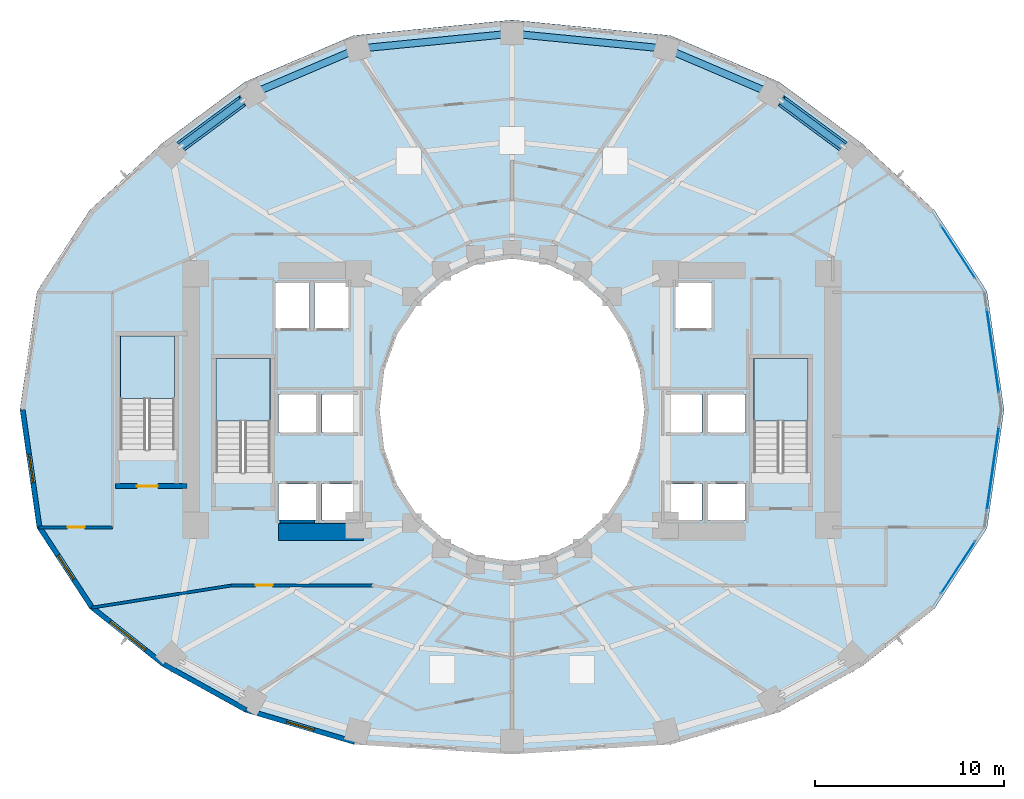
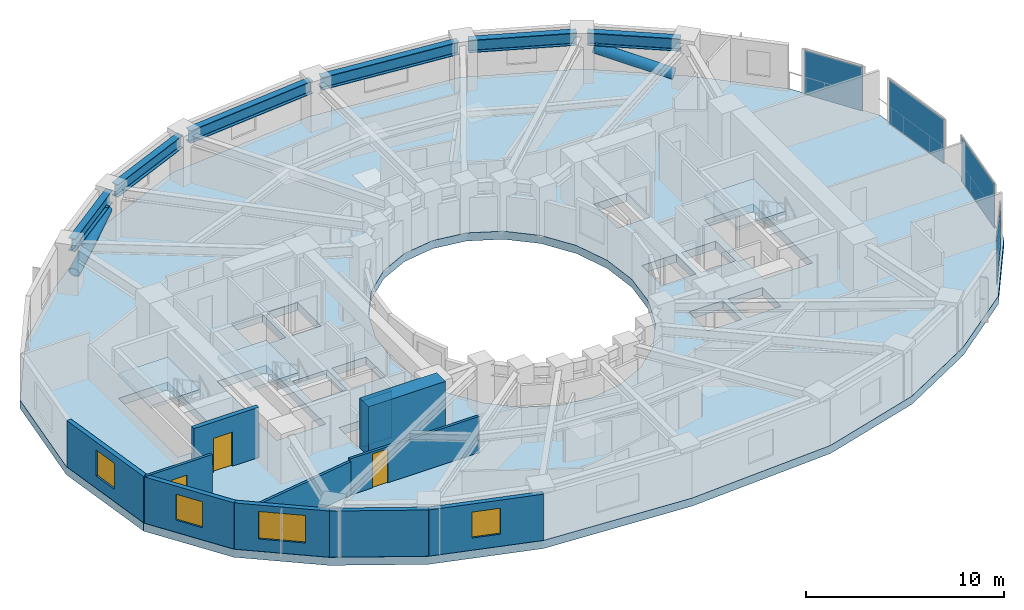
# One storey, part 6 of 14: 11 walls, 6 beams, 4 plates, 4 slabs, 4 windows, 3 doors, 2 members, 7 openings, 7 elements without a shape of their own.
"""IFC4 building model written with IfcOpenShell, lengths in metres."""

from ifc_helpers import new_model, si_unit, direction, frame, frame_2d, origin, origin_2d, place, context, subcontext, project, spatial, polyline, rectangle, hollow_circle, i_section, outline, extrude, material, layer, layer_set, material_profile, profile_set, type_object, element, fill, aggregate, save


model = new_model("IFC4")

# Units and contexts
model_context = context("Model", 3, precision=1e-05, world=origin(), true_north=direction((0.0, 1.0)))
body_context = subcontext(model_context, "Body", "Model", "MODEL_VIEW")
ifc_project = project(units=[si_unit("LENGTHUNIT", "METRE"), si_unit("AREAUNIT", "SQUARE_METRE"), si_unit("VOLUMEUNIT", "CUBIC_METRE"), si_unit("PLANEANGLEUNIT", "RADIAN"), si_unit("MASSUNIT", "GRAM", prefix="KILO")], contexts=[model_context])

# Site, building, storey
site_placement = place(None, origin())
site = spatial("IfcSite", under=ifc_project, at=site_placement, CompositionType="ELEMENT")
building_placement = place(site_placement, origin())
building = spatial("IfcBuilding", under=site, at=building_placement, Name="Solvane Sanctuary Tower", CompositionType="ELEMENT")
storey_placement = place(building_placement, frame((0.0, 0.0, 36.89990234375)))
storey = spatial("IfcBuildingStorey", under=building, at=storey_placement, Name="L10", CompositionType="ELEMENT", Elevation=36.89990234375)

# Beams
ifc_material_1 = material(Name="Steel ASTM A992 Grade 50", Category="steel")
ifc_material_profile_1 = material_profile(ifc_material_1, i_section(OverallWidth=0.382080078125, OverallDepth=0.779052734375, WebThickness=0.01806640625, FlangeThickness=0.030029296875, FilletRadius=0.02001953125, at=origin_2d()), Name="W30X191")
ifc_profile_set_1 = profile_set([ifc_material_profile_1], Name="Steel ASTM A992 Grade 50")
beam_type = type_object("IfcBeamType", Name="Beam B-SPAND-Z1 W30X191", PredefinedType="SPANDREL", material=ifc_profile_set_1)
beam_1_placement = place(storey_placement, frame((14.2333984375, 36.719970703125, 2.488525390625), z_axis=(0.804334467125, 0.594176796076, 0.0), x_axis=(-0.594176796076, 0.804334467125, 0.0)))
element("IfcBeam", 1, at=beam_1_placement, inside=storey, type_object=beam_type, Name="L10 Perimeter Spandrel Beam TC07-TC06", PredefinedType="SPANDREL", context=body_context, shape_type="SweptSolid", body=[
    extrude(i_section(OverallWidth=0.382080078125, OverallDepth=0.779052734375, WebThickness=0.01806640625, FlangeThickness=0.030029296875, FilletRadius=0.02001953125, at=origin_2d()), origin(), (0.0, 0.0, 1.0), 4.7421875),
])
beam_2_placement = place(storey_placement, frame((18.530517578125, 39.81396484375, 2.488525390625), z_axis=(0.919906751835, 0.392137179988, 0.0), x_axis=(-0.392137179988, 0.919906751835, 0.0)))
element("IfcBeam", 2, at=beam_2_placement, inside=storey, type_object=beam_type, Name="L10 Perimeter Spandrel Beam TC06-TC05", PredefinedType="SPANDREL", context=body_context, shape_type="SweptSolid", body=[
    extrude(i_section(OverallWidth=0.382080078125, OverallDepth=0.779052734375, WebThickness=0.01806640625, FlangeThickness=0.030029296875, FilletRadius=0.02001953125, at=origin_2d()), origin(), (0.0, 0.0, 1.0), 5.508056640625),
])
for number, where, z_axis, x_axis, name in (
    (3, (24.1337890625, 42.11083984375, 2.488525390625), (0.995252945064, 0.097322018793, 0.0), (-0.097322018793, 0.995252945064, 0.0), "L10 Perimeter Spandrel Beam TC05-TC04"),
    (4, (32.27880859375, 42.852783203125, 2.488525390625), (0.995252945064, -0.097322018793, 0.0), (0.097322018793, 0.995252945064, 0.0), "L10 Perimeter Spandrel Beam TC04-TC03"),
):
    element("IfcBeam", number, at=place(storey_placement, frame(where, z_axis=z_axis, x_axis=x_axis)), inside=storey, type_object=beam_type, Name=name, PredefinedType="SPANDREL", context=body_context, shape_type="SweptSolid", body=[
        extrude(i_section(OverallWidth=0.382080078125, OverallDepth=0.779052734375, WebThickness=0.01806640625, FlangeThickness=0.030029296875, FilletRadius=0.02001953125, at=origin_2d()), origin(), (0.0, 0.0, 1.0), 7.62353515625),
    ])
beam_3_placement = place(storey_placement, frame((40.402587890625, 41.973876953125, 2.488525390625), z_axis=(0.919906751835, -0.392137179988, 0.0), x_axis=(0.392137179988, 0.919906751835, 0.0)))
element("IfcBeam", 5, at=beam_3_placement, inside=storey, type_object=beam_type, Name="L10 Perimeter Spandrel Beam TC03-TC02", PredefinedType="SPANDREL", context=body_context, shape_type="SweptSolid", body=[
    extrude(i_section(OverallWidth=0.382080078125, OverallDepth=0.779052734375, WebThickness=0.01806640625, FlangeThickness=0.030029296875, FilletRadius=0.02001953125, at=origin_2d()), origin(), (0.0, 0.0, 1.0), 5.508056640625),
])
beam_4_placement = place(storey_placement, frame((45.952392578125, 39.53759765625, 2.488525390625), z_axis=(0.804334467125, -0.594176796076, 0.0), x_axis=(0.594176796076, 0.804334467125, 0.0)))
element("IfcBeam", 6, at=beam_4_placement, inside=storey, type_object=beam_type, Name="L10 Perimeter Spandrel Beam TC02-TC01", PredefinedType="SPANDREL", context=body_context, shape_type="SweptSolid", body=[
    extrude(i_section(OverallWidth=0.382080078125, OverallDepth=0.779052734375, WebThickness=0.01806640625, FlangeThickness=0.030029296875, FilletRadius=0.02001953125, at=origin_2d()), origin(), (0.0, 0.0, 1.0), 4.7421875),
])

# Members
ifc_material_profile_2 = material_profile(ifc_material_1, hollow_circle(Radius=0.304931640625, WallThickness=0.01611328125, at=origin_2d()), Name="CHS610X16")
ifc_profile_set_2 = profile_set([ifc_material_profile_2], Name="Steel ASTM A992 Grade 50")
member_type = type_object("IfcMemberType", Name="Member M-TUBE-Z1 CHS610X16", PredefinedType="BRACE", material=ifc_profile_set_2)
for number, where, z_axis, x_axis, name in (
    (7, (49.49609375, 36.919921875, 0.579833984375), (-0.765137923591, 0.565199520065, 0.308404702302), (-0.594161791503, -0.804345551065, 0.0), "L10 Perimeter Braced-Tube Diagonal NE"),
    (8, (14.50390625, 36.919921875, 0.579833984375), (0.765137923591, 0.565199520065, 0.308404702302), (-0.594161791503, 0.804345551065, 0.0), "L10 Perimeter Braced-Tube Diagonal NW"),
):
    element("IfcMember", number, at=place(storey_placement, frame(where, z_axis=z_axis, x_axis=x_axis)), inside=storey, type_object=member_type, Name=name, PredefinedType="BRACE", context=body_context, shape_type="SweptSolid", body=[
        extrude(hollow_circle(Radius=0.304931640625, WallThickness=0.01611328125, at=origin_2d()), origin(), (0.0, 0.0, 1.0), 4.281005859375),
    ])

# Curtain wall, plate
ifc_material_2 = material(Name="Anodised Aluminium 6063-T6", Category="aluminium")
ifc_layer_1 = layer(ifc_material_2, 0.2099609375, Name="Anodised Aluminium 6063-T6")
ifc_layer_set_1 = layer_set([ifc_layer_1], Name="Anodised Aluminium 6063-T6")
curtain_wall_type = type_object("IfcCurtainWallType", Name="Curtain Wall CW-PORTAL", PredefinedType="NOTDEFINED", material=ifc_layer_set_1)
curtain_wall_1_placement = place(storey_placement, origin())
curtain_wall_1 = element("IfcCurtainWall", 9, at=curtain_wall_1_placement, inside=storey, type_object=curtain_wall_type, Name="L10 CW-PORTAL Facade Run 00", PredefinedType="NOTDEFINED")
ifc_material_3 = material(Name="Dark Ceramic-Fritted Low-E Glass", Category="glass")
ifc_layer_2 = layer(ifc_material_3, 0.031982421875, Name="Dark Ceramic-Fritted Low-E Glass")
ifc_layer_set_2 = layer_set([ifc_layer_2], Name="Dark Ceramic-Fritted Low-E Glass")
plate_type = type_object("IfcPlateType", Name="Plate PN-FRIT-VIS", PredefinedType="CURTAIN_PANEL", material=ifc_layer_set_2)
plate_1_placement = place(storey_placement, frame((57.413330078125, 26.1025390625, 0.065185546875), z_axis=(0.0, 0.0, 1.0), x_axis=(-0.142503929979, 0.989794236162, 0.0)))
plate_1 = element("IfcPlate", 10, at=plate_1_placement, type_object=plate_type, Name="CW-PORTAL panel 1.1", PredefinedType="CURTAIN_PANEL", context=body_context, shape_type="SweptSolid", body=[
    extrude(rectangle(XDim=4.479248046875, YDim=0.031982421875, at=origin_2d()), origin(), (0.0, 0.0, 1.0), 2.7099609375),
])
aggregate(curtain_wall_1, [plate_1])

curtain_wall_2_placement = place(storey_placement, origin())
curtain_wall_2 = element("IfcCurtainWall", 11, at=curtain_wall_2_placement, inside=storey, type_object=curtain_wall_type, Name="L10 CW-PORTAL Facade Run 01", PredefinedType="NOTDEFINED")
plate_2_placement = place(storey_placement, frame((55.580078125, 31.34033203125, 0.065185546875), z_axis=(0.0, 0.0, 1.0), x_axis=(-0.544543243911, 0.838732767639, 0.0)))
plate_2 = element("IfcPlate", 12, at=plate_2_placement, type_object=plate_type, Name="CW-PORTAL panel 1.1", PredefinedType="CURTAIN_PANEL", context=body_context, shape_type="SweptSolid", body=[
    extrude(rectangle(XDim=3.301513671875, YDim=0.031982421875, at=origin_2d()), origin(), (0.0, 0.0, 1.0), 2.7099609375),
])
aggregate(curtain_wall_2, [plate_2])

curtain_wall_3_placement = place(storey_placement, origin())
curtain_wall_3 = element("IfcCurtainWall", 13, at=curtain_wall_3_placement, inside=storey, type_object=curtain_wall_type, Name="L10 CW-PORTAL Facade Run 22", PredefinedType="NOTDEFINED")
plate_3_placement = place(storey_placement, frame((55.580078125, 14.6767578125, 0.065185546875), z_axis=(0.0, 0.0, 1.0), x_axis=(0.547701943571, 0.836673521159, 0.0)))
plate_3 = element("IfcPlate", 14, at=plate_3_placement, type_object=plate_type, Name="CW-PORTAL panel 1.1", PredefinedType="CURTAIN_PANEL", context=body_context, shape_type="SweptSolid", body=[
    extrude(rectangle(XDim=3.2724609375, YDim=0.031982421875, at=origin_2d()), origin(), (0.0, 0.0, 1.0), 2.7099609375),
])
aggregate(curtain_wall_3, [plate_3])

curtain_wall_4_placement = place(storey_placement, origin())
curtain_wall_4 = element("IfcCurtainWall", 15, at=curtain_wall_4_placement, inside=storey, type_object=curtain_wall_type, Name="L10 CW-PORTAL Facade Run 23", PredefinedType="NOTDEFINED")
plate_4_placement = place(storey_placement, frame((57.413330078125, 19.8974609375, 0.065185546875), z_axis=(0.0, 0.0, 1.0), x_axis=(0.142503929979, 0.989794236162, 0.0)))
plate_4 = element("IfcPlate", 16, at=plate_4_placement, type_object=plate_type, Name="CW-PORTAL panel 1.1", PredefinedType="CURTAIN_PANEL", context=body_context, shape_type="SweptSolid", body=[
    extrude(rectangle(XDim=4.479248046875, YDim=0.031982421875, at=origin_2d()), origin(), (0.0, 0.0, 1.0), 2.7099609375),
])
aggregate(curtain_wall_4, [plate_4])

# Stair, slab
ifc_material_4 = material(Name="Concrete C45/55", Category="concrete")
stair_type = type_object("IfcStairType", Name="Stair ST-TOW", PredefinedType="HALF_TURN_STAIR", material=ifc_material_4)
stair_1_placement = place(storey_placement, origin())
stair_1 = element("IfcStair", 17, at=stair_1_placement, inside=storey, type_object=stair_type, Name="L10 Exit Stair ST-1 West Core", PredefinedType="HALF_TURN_STAIR")
ifc_layer_3 = layer(ifc_material_4, 0.199951171875, Name="Concrete C45/55")
ifc_layer_set_3 = layer_set([ifc_layer_3], Name="Concrete C45/55")
slab_type_1 = type_object("IfcSlabType", Name="Slab SL-LAND-180", PredefinedType="LANDING", material=ifc_layer_set_3)
slab_1_placement = place(storey_placement, frame((0.0, 0.0, 1.35009765625)))
slab_1 = element("IfcSlab", 18, at=slab_1_placement, type_object=slab_type_1, Name="ST-1 landing 1", PredefinedType="LANDING", context=body_context, shape_type="SweptSolid", body=[
    extrude(outline(polyline([(19.219970703125, 22.39990234375), (19.219970703125, 25.699951171875), (16.360107421875, 25.699951171875), (16.360107421875, 22.39990234375), (19.219970703125, 22.39990234375)])), origin(), (0.0, 0.0, 1.0), 0.199951171875),
])
aggregate(stair_1, [slab_1])

stair_2_placement = place(storey_placement, origin())
stair_2 = element("IfcStair", 19, at=stair_2_placement, inside=storey, type_object=stair_type, Name="L10 Exit Stair ST-2 East Core", PredefinedType="HALF_TURN_STAIR")
slab_2_placement = place(storey_placement, frame((0.0, 0.0, 1.35009765625)))
slab_2 = element("IfcSlab", 20, at=slab_2_placement, type_object=slab_type_1, Name="ST-2 landing 1", PredefinedType="LANDING", context=body_context, shape_type="SweptSolid", body=[
    extrude(outline(polyline([(47.639892578125, 22.39990234375), (47.639892578125, 25.699951171875), (44.780029296875, 25.699951171875), (44.780029296875, 22.39990234375), (47.639892578125, 22.39990234375)])), origin(), (0.0, 0.0, 1.0), 0.199951171875),
])
aggregate(stair_2, [slab_2])

stair_3_placement = place(storey_placement, origin())
stair_3 = element("IfcStair", 21, at=stair_3_placement, inside=storey, type_object=stair_type, Name="L10 Exit Stair ST-3 Pilgrim Tower Stair", PredefinedType="HALF_TURN_STAIR")
slab_3_placement = place(storey_placement, frame((0.0, 0.0, 1.35009765625)))
slab_3 = element("IfcSlab", 22, at=slab_3_placement, type_object=slab_type_1, Name="ST-3 landing 1", PredefinedType="LANDING", context=body_context, shape_type="SweptSolid", body=[
    extrude(outline(polyline([(14.159912109375, 23.60009765625), (14.159912109375, 26.89990234375), (11.300048828125, 26.89990234375), (11.300048828125, 23.60009765625), (14.159912109375, 23.60009765625)])), origin(), (0.0, 0.0, 1.0), 0.199951171875),
])
aggregate(stair_3, [slab_3])

# Slab
ifc_material_5 = material(Name="Concrete C60/75", Category="concrete")
ifc_layer_4 = layer(ifc_material_5, 0.5, Name="Concrete C60/75")
ifc_layer_set_4 = layer_set([ifc_layer_4], Name="Concrete C60/75")
slab_type_2 = type_object("IfcSlabType", Name="Slab SL-XFER-500", PredefinedType="FLOOR", material=ifc_layer_set_4)
slab_4_placement = place(storey_placement, frame((0.0, 0.0, -0.5)))
element("IfcSlab", 23, at=slab_4_placement, inside=storey, type_object=slab_type_2, Name="L10 Primary Structural Slab", PredefinedType="FLOOR", context=body_context, shape_type="SweptSolid", body=[
    extrude(outline(polyline([(58.0, 23.0), (57.101806640625, 29.25048828125), (54.31396484375, 33.5517578125), (50.504150390625, 37.066162109375), (46.1181640625, 40.322021484375), (40.376708984375, 42.77880859375), (32.0, 43.60009765625), (23.623291015625, 42.77880859375), (17.8818359375, 40.322021484375), (13.495849609375, 37.066162109375), (9.68603515625, 33.5517578125), (6.898193359375, 29.25048828125), (6.0, 23.0), (6.898193359375, 16.74951171875), (9.68603515625, 12.483154296875), (13.495849609375, 9.452392578125), (17.8818359375, 7.022705078125), (23.623291015625, 5.3193359375), (32.0, 4.800048828125), (40.376708984375, 5.3193359375), (46.1181640625, 7.022705078125), (50.504150390625, 9.452392578125), (54.31396484375, 12.483154296875), (57.101806640625, 16.74951171875), (58.0, 23.0)]), holes=[polyline([(38.761474609375, 20.929443359375), (38.062255859375, 19.0), (36.94970703125, 17.343017578125), (35.5, 16.07177734375), (33.811767578125, 15.272705078125), (32.0, 15.0), (30.188232421875, 15.272705078125), (28.5, 16.07177734375), (27.05029296875, 17.343017578125), (25.937744140625, 19.0), (25.238525390625, 20.929443359375), (25.0, 23.0), (25.238525390625, 25.070556640625), (25.937744140625, 27.0), (27.05029296875, 28.656982421875), (28.5, 29.92822265625), (30.188232421875, 30.727294921875), (32.0, 31.0), (33.811767578125, 30.727294921875), (35.5, 29.92822265625), (36.94970703125, 28.656982421875), (38.062255859375, 27.0), (38.761474609375, 25.070556640625), (39.0, 23.0), (38.761474609375, 20.929443359375)]), polyline([(16.360107421875, 19.699951171875), (16.360107421875, 25.699951171875), (19.219970703125, 25.699951171875), (19.219970703125, 19.699951171875), (16.360107421875, 19.699951171875)]), polyline([(44.780029296875, 19.699951171875), (44.780029296875, 25.699951171875), (47.639892578125, 25.699951171875), (47.639892578125, 19.699951171875), (44.780029296875, 19.699951171875)]), polyline([(11.300048828125, 20.89990234375), (11.300048828125, 26.89990234375), (14.159912109375, 26.89990234375), (14.159912109375, 20.89990234375), (11.300048828125, 20.89990234375)]), polyline([(19.64990234375, 19.080078125), (21.64990234375, 19.080078125), (21.64990234375, 17.179931640625), (19.64990234375, 17.179931640625), (19.64990234375, 19.080078125)]), polyline([(21.949951171875, 19.080078125), (23.949951171875, 19.080078125), (23.949951171875, 17.179931640625), (21.949951171875, 17.179931640625), (21.949951171875, 19.080078125)]), polyline([(40.050048828125, 19.080078125), (42.050048828125, 19.080078125), (42.050048828125, 17.179931640625), (40.050048828125, 17.179931640625), (40.050048828125, 19.080078125)]), polyline([(42.35009765625, 19.080078125), (44.35009765625, 19.080078125), (44.35009765625, 17.179931640625), (42.35009765625, 17.179931640625), (42.35009765625, 19.080078125)]), polyline([(19.64990234375, 23.800048828125), (21.64990234375, 23.800048828125), (21.64990234375, 21.800048828125), (19.64990234375, 21.800048828125), (19.64990234375, 23.800048828125)]), polyline([(42.35009765625, 23.800048828125), (44.35009765625, 23.800048828125), (44.35009765625, 21.800048828125), (42.35009765625, 21.800048828125), (42.35009765625, 23.800048828125)]), polyline([(21.949951171875, 23.800048828125), (23.949951171875, 23.800048828125), (23.949951171875, 21.800048828125), (21.949951171875, 21.800048828125), (21.949951171875, 23.800048828125)]), polyline([(40.050048828125, 23.800048828125), (42.050048828125, 23.800048828125), (42.050048828125, 21.800048828125), (40.050048828125, 21.800048828125), (40.050048828125, 23.800048828125)]), polyline([(19.5, 29.699951171875), (21.300048828125, 29.699951171875), (21.300048828125, 27.300048828125), (19.5, 27.300048828125), (19.5, 29.699951171875)]), polyline([(21.550048828125, 29.699951171875), (23.35009765625, 29.699951171875), (23.35009765625, 27.300048828125), (21.550048828125, 27.300048828125), (21.550048828125, 29.699951171875)]), polyline([(40.64990234375, 29.699951171875), (42.550048828125, 29.699951171875), (42.550048828125, 27.300048828125), (40.64990234375, 27.300048828125), (40.64990234375, 29.699951171875)])]), origin(), (0.0, 0.0, 1.0), 0.5),
])

# Wall
ifc_material_6 = material(Name="Concrete C70/85", Category="concrete")
ifc_layer_5 = layer(ifc_material_6, 0.89990234375, Name="Concrete C70/85")
ifc_layer_set_5 = layer_set([ifc_layer_5], Name="Concrete C70/85")
wall_type_1 = type_object("IfcWallType", Name="Wall W-CORE-900", PredefinedType="SHEAR", material=ifc_layer_set_5)
wall_1_placement = place(storey_placement, frame((19.64990234375, 16.550048828125, 0.0), z_axis=(0.0, 0.0, 1.0), x_axis=(1.0, 0.0, 0.0)))
element("IfcWall", 24, at=wall_1_placement, inside=storey, type_object=wall_type_1, Name="L10 Core Shear Wall WC-S", PredefinedType="SHEAR", context=body_context, shape_type="SweptSolid", body=[
    extrude(rectangle(XDim=4.5, YDim=0.89990234375, at=frame_2d((2.25, 0.0))), origin(), (0.0, 0.0, 1.0), 3.10009765625),
])

# Wall, opening, door
ifc_material_7 = material(Name="Acoustic Gypsum Partition Board")
ifc_layer_6 = layer(ifc_material_7, 0.14990234375, Name="Acoustic Gypsum Partition Board")
ifc_layer_set_6 = layer_set([ifc_layer_6], Name="Acoustic Gypsum Partition Board")
wall_type_2 = type_object("IfcWallType", Name="Wall W-CORR-150", PredefinedType="PARTITIONING", material=ifc_layer_set_6)
wall_2_placement = place(storey_placement, frame((7.013671875, 16.788330078125, 0.0), z_axis=(0.0, 0.0, 1.0), x_axis=(1.0, 0.0, 0.0)))
wall_2 = element("IfcWall", 25, at=wall_2_placement, inside=storey, type_object=wall_type_2, Name="L10 West Shoulder South Wall", PredefinedType="PARTITIONING", context=body_context, shape_type="SweptSolid", body=[
    extrude(rectangle(XDim=3.8662109375, YDim=0.14990234375, at=frame_2d((1.93310546875, 0.0))), origin(), (0.0, 0.0, 1.0), 2.85498046875),
])
opening_1_placement = place(wall_2_placement, frame((1.503173828125, 0.0, 0.0)))
opening_1 = element("IfcOpeningElement", 26, at=opening_1_placement, cuts=wall_2, Name="Opening D-L10-10", PredefinedType="OPENING", context=body_context, shape_type="SweptSolid", body=[
    extrude(rectangle(XDim=0.89990234375, YDim=2.10009765625, at=frame_2d((0.449951171875, 1.050048828125))), frame((0.0, 0.0849609375, 0.0), z_axis=(0.0, -1.0, 0.0), x_axis=(1.0, 0.0, 0.0)), (0.0, 0.0, 1.0), 0.169921875),
])
ifc_material_8 = material(Name="Engineered Tropical Hardwood", Category="wood")
door_type_1 = type_object("IfcDoorType", Name="Door D-WET-900", OperationType="NOTDEFINED", PredefinedType="DOOR", material=ifc_material_8)
door_1_placement = place(opening_1_placement, origin())
door_1 = element("IfcDoor", 27, at=door_1_placement, inside=storey, type_object=door_type_1, Name="L10 West Shoulder South Door", OperationType="SINGLE_SWING_RIGHT", OverallHeight=2.10009765625, OverallWidth=0.89990234375, PredefinedType="DOOR", context=body_context, shape_type="SweptSolid", body=[
    extrude(rectangle(XDim=0.89990234375, YDim=2.10009765625, at=frame_2d((0.449951171875, 1.050048828125))), frame((0.0, 0.02490234375, 0.0), z_axis=(0.0, -1.0, 0.0), x_axis=(1.0, 0.0, 0.0)), (0.0, 0.0, 1.0), 0.050048828125),
])
fill(opening_1, door_1)

wall_3_placement = place(storey_placement, frame((17.14990234375, 13.719970703125, 0.0), z_axis=(0.0, 0.0, 1.0), x_axis=(1.0, 0.0, 0.0)))
wall_3 = element("IfcWall", 28, at=wall_3_placement, inside=storey, type_object=wall_type_2, Name="L10 SW Corner Corridor Wall", PredefinedType="PARTITIONING", context=body_context, shape_type="SweptSolid", body=[
    extrude(rectangle(XDim=7.52001953125, YDim=0.14990234375, at=frame_2d((3.760009765625, 0.0))), origin(), (0.0, 0.0, 1.0), 2.237060546875),
])
opening_2_placement = place(wall_3_placement, frame((1.300048828125, 0.0, 0.0)))
opening_2 = element("IfcOpeningElement", 29, at=opening_2_placement, cuts=wall_3, Name="Opening D-L10-14", PredefinedType="OPENING", context=body_context, shape_type="SweptSolid", body=[
    extrude(rectangle(XDim=0.89990234375, YDim=2.10009765625, at=frame_2d((0.449951171875, 1.050048828125))), frame((0.0, 0.0849609375, 0.0), z_axis=(0.0, -1.0, 0.0), x_axis=(1.0, 0.0, 0.0)), (0.0, 0.0, 1.0), 0.169921875),
])
door_2_placement = place(opening_2_placement, origin())
door_2 = element("IfcDoor", 30, at=door_2_placement, inside=storey, type_object=door_type_1, Name="L10 SW Corner Salon Door", OperationType="SINGLE_SWING_RIGHT", OverallHeight=2.10009765625, OverallWidth=0.89990234375, PredefinedType="DOOR", context=body_context, shape_type="SweptSolid", body=[
    extrude(rectangle(XDim=0.89990234375, YDim=2.10009765625, at=frame_2d((0.449951171875, 1.050048828125))), frame((0.0, 0.02490234375, 0.0), z_axis=(0.0, -1.0, 0.0), x_axis=(1.0, 0.0, 0.0)), (0.0, 0.0, 1.0), 0.050048828125),
])
fill(opening_2, door_2)

# Wall
wall_4_placement = place(storey_placement, frame((17.24951171875, 13.727783203125, 0.0), z_axis=(0.0, 0.0, 1.0), x_axis=(-0.987655781226, -0.156639898525, 0.0)))
element("IfcWall", 31, at=wall_4_placement, inside=storey, type_object=wall_type_2, Name="L10 SW Corner Wing Wall", PredefinedType="PARTITIONING", context=body_context, shape_type="SweptSolid", body=[
    extrude(rectangle(XDim=7.551513671875, YDim=0.14990234375, at=frame_2d((3.77587890625, 0.0))), origin(), (0.0, 0.0, 1.0), 2.069091796875),
])

# Wall, opening, window
ifc_material_9 = material(Name="Precast concrete C40/50", Category="concrete")
ifc_layer_7 = layer(ifc_material_9, 0.260009765625, Name="Precast concrete C40/50")
ifc_layer_set_7 = layer_set([ifc_layer_7], Name="Precast concrete C40/50")
wall_type_3 = type_object("IfcWallType", Name="Wall W-EXT-250", PredefinedType="STANDARD", material=ifc_layer_set_7)
wall_5_placement = place(storey_placement, frame((6.139892578125, 23.0, 0.0), z_axis=(0.0, 0.0, 1.0), x_axis=(0.142528001686, -0.989790770181, 0.0)))
wall_5 = element("IfcWall", 32, at=wall_5_placement, inside=storey, type_object=wall_type_3, Name="L10 Ceramic-Printed Facade Wall 12", PredefinedType="STANDARD", context=body_context, shape_type="SweptSolid", body=[
    extrude(rectangle(XDim=6.269287109375, YDim=0.260009765625, at=frame_2d((3.134765625, 0.0))), origin(), (0.0, 0.0, 1.0), 2.85009765625),
])
opening_3_placement = place(wall_5_placement, frame((2.384521484375, 0.0, 0.75)))
opening_3 = element("IfcOpeningElement", 33, at=opening_3_placement, cuts=wall_5, Name="Opening WN-OPER-1500", PredefinedType="OPENING", context=body_context, shape_type="SweptSolid", body=[
    extrude(rectangle(XDim=1.5, YDim=1.60009765625, at=frame_2d((0.75, 0.800048828125))), frame((0.0, 0.139892578125, 0.0), z_axis=(0.0, -1.0, 0.0), x_axis=(1.0, 0.0, 0.0)), (0.0, 0.0, 1.0), 0.280029296875),
])
window_type_1 = type_object("IfcWindowType", Name="Window WN-OPER-1500", PartitioningType="SINGLE_PANEL", PredefinedType="WINDOW", material=ifc_material_3)
window_1_placement = place(opening_3_placement, origin())
window_1 = element("IfcWindow", 34, at=window_1_placement, inside=storey, type_object=window_type_1, Name="L10 Operable Facade Window 12", OverallHeight=1.60009765625, OverallWidth=1.5, PartitioningType="SINGLE_PANEL", PredefinedType="WINDOW", context=body_context, shape_type="SweptSolid", body=[
    extrude(rectangle(XDim=1.5, YDim=1.60009765625, at=frame_2d((0.75, 0.800048828125))), frame((0.0, 0.030029296875, 0.0), z_axis=(0.0, -1.0, 0.0), x_axis=(1.0, 0.0, 0.0)), (0.0, 0.0, 1.0), 0.06005859375),
])
fill(opening_3, window_1)

wall_6_placement = place(storey_placement, frame((7.033447265625, 16.794677734375, 0.0), z_axis=(0.0, 0.0, 1.0), x_axis=(0.547702757047, -0.836672988642, 0.0)))
wall_6 = element("IfcWall", 35, at=wall_6_placement, inside=storey, type_object=wall_type_3, Name="L10 Ceramic-Printed Facade Wall 13", PredefinedType="STANDARD", context=body_context, shape_type="SweptSolid", body=[
    extrude(rectangle(XDim=5.0625, YDim=0.260009765625, at=frame_2d((2.53125, 0.0))), origin(), (0.0, 0.0, 1.0), 2.85009765625),
])
opening_4_placement = place(wall_6_placement, frame((1.78125, 0.0, 0.75)))
opening_4 = element("IfcOpeningElement", 36, at=opening_4_placement, cuts=wall_6, Name="Opening WN-OPER-1500", PredefinedType="OPENING", context=body_context, shape_type="SweptSolid", body=[
    extrude(rectangle(XDim=1.5, YDim=1.60009765625, at=frame_2d((0.75, 0.800048828125))), frame((0.0, 0.139892578125, 0.0), z_axis=(0.0, -1.0, 0.0), x_axis=(1.0, 0.0, 0.0)), (0.0, 0.0, 1.0), 0.280029296875),
])
window_2_placement = place(opening_4_placement, origin())
window_2 = element("IfcWindow", 37, at=window_2_placement, inside=storey, type_object=window_type_1, Name="L10 Operable Facade Window 13", OverallHeight=1.60009765625, OverallWidth=1.5, PartitioningType="SINGLE_PANEL", PredefinedType="WINDOW", context=body_context, shape_type="SweptSolid", body=[
    extrude(rectangle(XDim=1.5, YDim=1.60009765625, at=frame_2d((0.75, 0.800048828125))), frame((0.0, 0.030029296875, 0.0), z_axis=(0.0, -1.0, 0.0), x_axis=(1.0, 0.0, 0.0)), (0.0, 0.0, 1.0), 0.06005859375),
])
fill(opening_4, window_2)

wall_7_placement = place(storey_placement, frame((9.80615234375, 12.55908203125, 0.0), z_axis=(0.0, 0.0, 1.0), x_axis=(0.783123133379, -0.621866672179, 0.0)))
wall_7 = element("IfcWall", 38, at=wall_7_placement, inside=storey, type_object=wall_type_3, Name="L10 Ceramic-Printed Facade Wall 14", PredefinedType="STANDARD", context=body_context, shape_type="SweptSolid", body=[
    extrude(rectangle(XDim=4.838623046875, YDim=0.260009765625, at=frame_2d((2.41943359375, 0.0))), origin(), (0.0, 0.0, 1.0), 2.85009765625),
])
opening_5_placement = place(wall_7_placement, frame((1.21923828125, 0.0, 0.75)))
opening_5 = element("IfcOpeningElement", 39, at=opening_5_placement, cuts=wall_7, Name="Opening WN-RIB-2400", PredefinedType="OPENING", context=body_context, shape_type="SweptSolid", body=[
    extrude(rectangle(XDim=2.39990234375, YDim=1.699951171875, at=frame_2d((1.199951171875, 0.85009765625))), frame((0.0, 0.139892578125, 0.0), z_axis=(0.0, -1.0, 0.0), x_axis=(1.0, 0.0, 0.0)), (0.0, 0.0, 1.0), 0.280029296875),
])
window_type_2 = type_object("IfcWindowType", Name="Window WN-RIB-2400", PartitioningType="SINGLE_PANEL", PredefinedType="WINDOW", material=ifc_material_3)
window_3_placement = place(opening_5_placement, origin())
window_3 = element("IfcWindow", 40, at=window_3_placement, inside=storey, type_object=window_type_2, Name="L10 Operable Facade Window 14", OverallHeight=1.699951171875, OverallWidth=2.39990234375, PartitioningType="SINGLE_PANEL", PredefinedType="WINDOW", context=body_context, shape_type="SweptSolid", body=[
    extrude(rectangle(XDim=2.39990234375, YDim=1.699951171875, at=frame_2d((1.199951171875, 0.85009765625))), frame((0.0, 0.030029296875, 0.0), z_axis=(0.0, -1.0, 0.0), x_axis=(1.0, 0.0, 0.0)), (0.0, 0.0, 1.0), 0.06005859375),
])
fill(opening_5, window_3)

# Wall
wall_8_placement = place(storey_placement, frame((13.595458984375, 9.550048828125, 0.0), z_axis=(0.0, 0.0, 1.0), x_axis=(0.875137303239, -0.483874674352, 0.0)))
element("IfcWall", 41, at=wall_8_placement, inside=storey, type_object=wall_type_3, Name="L10 Ceramic-Printed Facade Wall 15", PredefinedType="STANDARD", context=body_context, shape_type="SweptSolid", body=[
    extrude(rectangle(XDim=4.985107421875, YDim=0.260009765625, at=frame_2d((2.49267578125, 0.0))), origin(), (0.0, 0.0, 1.0), 2.85009765625),
])

# Wall, opening, window
wall_9_placement = place(storey_placement, frame((17.9580078125, 7.137939453125, 0.0), z_axis=(0.0, 0.0, 1.0), x_axis=(0.958843593522, -0.283934786811, 0.0)))
wall_9 = element("IfcWall", 42, at=wall_9_placement, inside=storey, type_object=wall_type_3, Name="L10 Ceramic-Printed Facade Wall 16", PredefinedType="STANDARD", context=body_context, shape_type="SweptSolid", body=[
    extrude(rectangle(XDim=5.955322265625, YDim=0.260009765625, at=frame_2d((2.9775390625, 0.0))), origin(), (0.0, 0.0, 1.0), 2.85009765625),
])
opening_6_placement = place(wall_9_placement, frame((2.227783203125, 0.0, 0.75)))
opening_6 = element("IfcOpeningElement", 43, at=opening_6_placement, cuts=wall_9, Name="Opening WN-OPER-1500", PredefinedType="OPENING", context=body_context, shape_type="SweptSolid", body=[
    extrude(rectangle(XDim=1.5, YDim=1.60009765625, at=frame_2d((0.75, 0.800048828125))), frame((0.0, 0.139892578125, 0.0), z_axis=(0.0, -1.0, 0.0), x_axis=(1.0, 0.0, 0.0)), (0.0, 0.0, 1.0), 0.280029296875),
])
window_4_placement = place(opening_6_placement, origin())
window_4 = element("IfcWindow", 44, at=window_4_placement, inside=storey, type_object=window_type_1, Name="L10 Operable Facade Window 16", OverallHeight=1.60009765625, OverallWidth=1.5, PartitioningType="SINGLE_PANEL", PredefinedType="WINDOW", context=body_context, shape_type="SweptSolid", body=[
    extrude(rectangle(XDim=1.5, YDim=1.60009765625, at=frame_2d((0.75, 0.800048828125))), frame((0.0, 0.030029296875, 0.0), z_axis=(0.0, -1.0, 0.0), x_axis=(1.0, 0.0, 0.0)), (0.0, 0.0, 1.0), 0.06005859375),
])
fill(opening_6, window_4)

# Wall
ifc_material_10 = material(Name="Concrete C50/60", Category="concrete")
ifc_layer_8 = layer(ifc_material_10, 0.14990234375, Name="Concrete C50/60")
ifc_layer_set_8 = layer_set([ifc_layer_8], Name="Concrete C50/60")
wall_type_4 = type_object("IfcWallType", Name="Wall W-SHAFT-150", PredefinedType="SOLIDWALL", material=ifc_layer_set_8)
wall_10_placement = place(storey_placement, frame((19.739990234375, 17.10009765625, 0.0), z_axis=(0.0, 0.0, 1.0), x_axis=(1.0, 0.0, 0.0)))
element("IfcWall", 45, at=wall_10_placement, inside=storey, type_object=wall_type_4, Name="L10 PL-1 Lift Shaft Wall B", PredefinedType="SOLIDWALL", context=body_context, shape_type="SweptSolid", body=[
    extrude(rectangle(XDim=1.820068359375, YDim=0.14990234375, at=frame_2d((0.91015625, 0.0))), origin(), (0.0, 0.0, 1.0), 2.85498046875),
])

# Wall, opening, door
ifc_layer_9 = layer(ifc_material_10, 0.25, Name="Concrete C50/60")
ifc_layer_set_9 = layer_set([ifc_layer_9], Name="Concrete C50/60")
wall_type_5 = type_object("IfcWallType", Name="Wall W-SHAFT-250", PredefinedType="SOLIDWALL", material=ifc_layer_set_9)
wall_11_placement = place(storey_placement, frame((11.044921875, 18.969970703125, 0.0), z_axis=(0.0, 0.0, 1.0), x_axis=(1.0, 0.0, 0.0)))
wall_11 = element("IfcWall", 46, at=wall_11_placement, inside=storey, type_object=wall_type_5, Name="L10 ST-3 Load-Bearing Shaft Wall S", PredefinedType="SOLIDWALL", context=body_context, shape_type="SweptSolid", body=[
    extrude(rectangle(XDim=3.781982421875, YDim=0.25, at=frame_2d((1.89111328125, 0.0))), origin(), (0.0, 0.0, 1.0), 3.10009765625),
])
opening_7_placement = place(wall_11_placement, frame((1.135009765625, 0.0, 0.0)))
opening_7 = element("IfcOpeningElement", 47, at=opening_7_placement, cuts=wall_11, Name="Opening D-L10-03", PredefinedType="OPENING", context=body_context, shape_type="SweptSolid", body=[
    extrude(rectangle(XDim=1.10009765625, YDim=2.10009765625, at=frame_2d((0.550048828125, 1.050048828125))), frame((0.0, 0.135009765625, 0.0), z_axis=(0.0, -1.0, 0.0), x_axis=(1.0, 0.0, 0.0)), (0.0, 0.0, 1.0), 0.27001953125),
])
ifc_material_11 = material(Name="Architectural Stainless Steel 316", Category="steel")
door_type_2 = type_object("IfcDoorType", Name="Door D-STAIR", OperationType="NOTDEFINED", PredefinedType="DOOR", material=ifc_material_11)
door_3_placement = place(opening_7_placement, origin())
door_3 = element("IfcDoor", 48, at=door_3_placement, inside=storey, type_object=door_type_2, Name="L10 ST-3 Exit Stair Fire Door", OperationType="SINGLE_SWING_RIGHT", OverallHeight=2.10009765625, OverallWidth=1.10009765625, PredefinedType="DOOR", context=body_context, shape_type="SweptSolid", body=[
    extrude(rectangle(XDim=1.10009765625, YDim=2.10009765625, at=frame_2d((0.550048828125, 1.050048828125))), frame((0.0, 0.02490234375, 0.0), z_axis=(0.0, -1.0, 0.0), x_axis=(1.0, 0.0, 0.0)), (0.0, 0.0, 1.0), 0.050048828125),
])
fill(opening_7, door_3)

save(model, "model.ifc")
